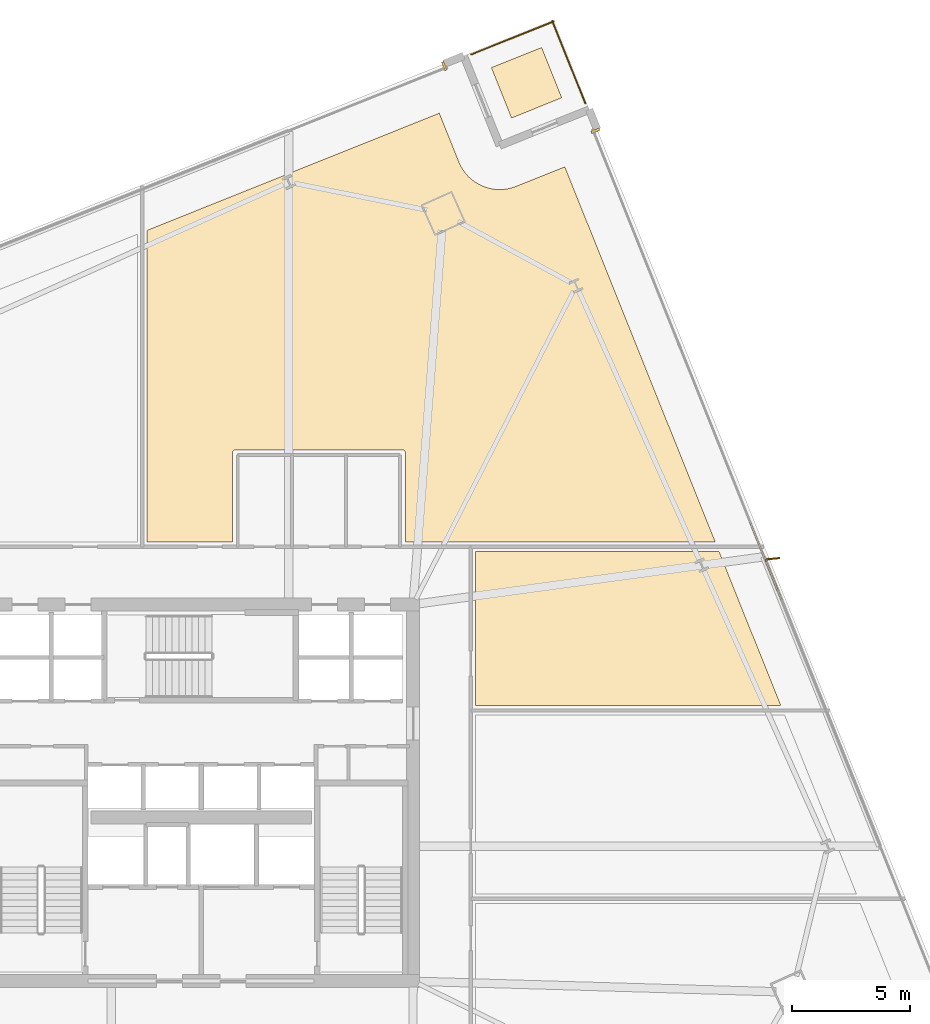
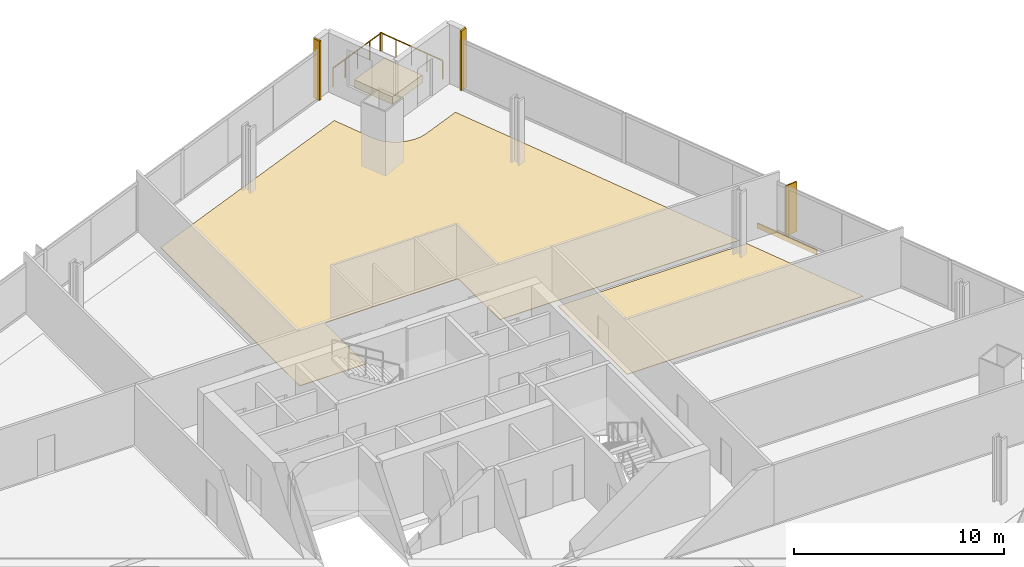
# One storey, part 33 of 33: 6 coverings, 2 railings, 1 shading device.
"""IFC4 building model written with IfcOpenShell, lengths in metres."""

from ifc_helpers import new_model, si_unit, direction, frame, origin, origin_2d, place, context, subcontext, project, spatial, polyline, rectangle, outline, extrude, source, transform, mapped, material, layer, layer_set, type_object, element, save


model = new_model("IFC4")

# Units and contexts
model_context = context("Model", 3, precision=1e-05, world=origin(), true_north=direction((0.0, 1.0)))
body_context = subcontext(model_context, "Body", "Model", "MODEL_VIEW")
ifc_project = project(units=[si_unit("LENGTHUNIT", "METRE"), si_unit("AREAUNIT", "SQUARE_METRE"), si_unit("VOLUMEUNIT", "CUBIC_METRE"), si_unit("PLANEANGLEUNIT", "RADIAN"), si_unit("MASSUNIT", "GRAM", prefix="KILO")], contexts=[model_context])

# Site, building, storey
site_placement = place(None, origin())
site = spatial("IfcSite", under=ifc_project, at=site_placement, CompositionType="ELEMENT")
building_placement = place(site_placement, origin())
building = spatial("IfcBuilding", under=site, at=building_placement, Name="Haldenkirk Collegiate Tower", CompositionType="ELEMENT")
storey_placement = place(building_placement, frame((0.0, 0.0, 101.699951171875)))
storey = spatial("IfcBuildingStorey", under=building, at=storey_placement, Name="L24", CompositionType="ELEMENT", Elevation=101.699951171875)

# Coverings
ifc_material_1 = material(Name="Polished collegiate terrazzo", Category="concrete")
ifc_layer_1 = layer(ifc_material_1, 0.02490234375)
ifc_layer_set_1 = layer_set([ifc_layer_1], Name="Polished collegiate terrazzo")
covering_type_1 = type_object("IfcCoveringType", Name="COV-FLOOR-TERRAZZO", PredefinedType="FLOORING", material=ifc_layer_set_1)
covering_1_placement = place(storey_placement, origin())
element("IfcCovering", 1, at=covering_1_placement, inside=storey, type_object=covering_type_1, Name="L24 academic room finish 06", PredefinedType="FLOORING", context=body_context, shape_type="SweptSolid", body=[
    extrude(outline(polyline([(46.112548828125, 54.867431640625), (46.9423828125, 52.797607421875), (46.94482421875, 52.792236328125), (47.0166015625, 52.63623046875), (47.02197265625, 52.625732421875), (47.108642578125, 52.4775390625), (47.114990234375, 52.467529296875), (47.2158203125, 52.32861328125), (47.22314453125, 52.3193359375), (47.3369140625, 52.19091796875), (47.34521484375, 52.182373046875), (47.47119140625, 52.065673828125), (47.480224609375, 52.05810546875), (47.616943359375, 51.9541015625), (47.626708984375, 51.947509765625), (47.77294921875, 51.857666015625), (47.783203125, 51.851806640625), (47.937744140625, 51.776611328125), (47.948486328125, 51.772216796875), (48.109619140625, 51.71240234375), (48.12060546875, 51.708740234375), (48.286865234375, 51.665283203125), (48.29833984375, 51.662841796875), (48.468017578125, 51.6357421875), (48.4794921875, 51.634521484375), (48.65087890625, 51.6240234375), (48.662841796875, 51.623779296875), (48.83447265625, 51.63037109375), (48.84619140625, 51.63134765625), (49.016357421875, 51.65478515625), (49.02783203125, 51.656982421875), (49.195068359375, 51.69677734375), (49.206298828125, 51.699951171875), (49.36865234375, 51.756103515625), (49.374267578125, 51.758056640625), (51.444091796875, 52.587890625), (57.8349609375, 36.64990234375), (44.669921875, 36.64990234375), (44.669921875, 40.449951171875), (44.66943359375, 40.4619140625), (44.667724609375, 40.473388671875), (44.664794921875, 40.48486328125), (44.660888671875, 40.495849609375), (44.65576171875, 40.506591796875), (44.64990234375, 40.5166015625), (44.642822265625, 40.526123046875), (44.635009765625, 40.534912109375), (44.626220703125, 40.542724609375), (44.61669921875, 40.5498046875), (44.606689453125, 40.555908203125), (44.595947265625, 40.560791015625), (44.584716796875, 40.564697265625), (44.573486328125, 40.567626953125), (44.561767578125, 40.5693359375), (44.550048828125, 40.570068359375), (37.449951171875, 40.570068359375), (37.438232421875, 40.5693359375), (37.426513671875, 40.567626953125), (37.415283203125, 40.564697265625), (37.404052734375, 40.560791015625), (37.393310546875, 40.555908203125), (37.38330078125, 40.5498046875), (37.373779296875, 40.542724609375), (37.364990234375, 40.534912109375), (37.357177734375, 40.526123046875), (37.35009765625, 40.5166015625), (37.34423828125, 40.506591796875), (37.339111328125, 40.495849609375), (37.335205078125, 40.48486328125), (37.332275390625, 40.473388671875), (37.33056640625, 40.4619140625), (37.330078125, 40.449951171875), (37.330078125, 36.64990234375), (33.699951171875, 36.64990234375), (33.699951171875, 49.89013671875), (46.112548828125, 54.867431640625)])), origin(), (0.0, 0.0, 1.0), 0.025146484375),
])
ifc_material_2 = material(Name="Engineered collegiate oak acoustic flooring", Category="wood")
ifc_layer_2 = layer(ifc_material_2, 0.02197265625)
ifc_layer_set_2 = layer_set([ifc_layer_2], Name="Engineered collegiate oak acoustic flooring")
covering_type_2 = type_object("IfcCoveringType", Name="COV-FLOOR-TIMBER", PredefinedType="FLOORING", material=ifc_layer_set_2)
covering_2_placement = place(storey_placement, origin())
element("IfcCovering", 2, at=covering_2_placement, inside=storey, type_object=covering_type_2, Name="L24 academic room finish 11", PredefinedType="FLOORING", context=body_context, shape_type="SweptSolid", body=[
    extrude(outline(polyline([(60.62158203125, 29.699951171875), (47.64990234375, 29.699951171875), (47.64990234375, 36.25), (57.9951171875, 36.25), (60.62158203125, 29.699951171875)])), origin(), (0.0, 0.0, 1.0), 0.02197265625),
])
ifc_material_3 = material(Name="Precast concrete f'c 40 MPa", Category="concrete")
ifc_layer_3 = layer(ifc_material_3, 0.449951171875)
ifc_layer_set_3 = layer_set([ifc_layer_3], Name="Precast concrete f'c 40 MPa")
covering_type_3 = type_object("IfcCoveringType", Name="COV-PLANTER-450", PredefinedType="USERDEFINED", material=ifc_layer_set_3)
covering_3_placement = place(storey_placement, origin())
element("IfcCovering", 3, at=covering_3_placement, inside=storey, type_object=covering_type_3, Name="L24 planted garden planter bed", ObjectType="PLANTER", PredefinedType="USERDEFINED", context=body_context, shape_type="SweptSolid", body=[
    extrude(outline(polyline([(49.1787109375, 54.6640625), (48.322509765625, 56.798583984375), (50.45751953125, 57.65478515625), (51.3134765625, 55.52001953125), (49.1787109375, 54.6640625)])), origin(), (0.0, 0.0, 1.0), 0.449951171875),
])

# Railings
ifc_material_4 = material(Name="Anodised architectural bronze aluminium", Category="aluminium")
railing_type = type_object("IfcRailingType", Name="RLG-TERR-BALUSTRADE-1100", PredefinedType="BALUSTRADE", material=ifc_material_4)
railing_1_placement = place(storey_placement, frame((52.308837890625, 55.294189453125, 0.0)))
element("IfcRailing", 4, at=railing_1_placement, inside=storey, type_object=railing_type, Name="L24 terrace guard balustrade 2-1", PredefinedType="BALUSTRADE", context=body_context, shape_type="SweptSolid", body=[
    extrude(rectangle(XDim=0.048095703125, YDim=0.048095703125, at=origin_2d()), frame((0.0, 0.0, 1.076171875), z_axis=(-0.372147774613, 0.9281734934, 0.0), x_axis=(-0.9281734934, -0.372147774613, 0.0)), (0.0, 0.0, 1.0), 3.780029296875),
    extrude(rectangle(XDim=0.0419921875, YDim=0.0419921875, at=origin_2d()), origin(), (0.0, 0.0, 1.0), 1.052001953125),
    extrude(rectangle(XDim=0.0419921875, YDim=0.0419921875, at=origin_2d()), frame((-0.3515625, 0.877197265625, 0.0)), (0.0, 0.0, 1.0), 1.052001953125),
    extrude(rectangle(XDim=0.0419921875, YDim=0.0419921875, at=origin_2d()), frame((-0.703369140625, 1.75439453125, 0.0)), (0.0, 0.0, 1.0), 1.052001953125),
    extrude(rectangle(XDim=0.0419921875, YDim=0.0419921875, at=origin_2d()), frame((-1.05517578125, 2.63134765625, 0.0)), (0.0, 0.0, 1.0), 1.052001953125),
    extrude(rectangle(XDim=0.0419921875, YDim=0.0419921875, at=origin_2d()), frame((-1.40673828125, 3.508544921875, 0.0)), (0.0, 0.0, 1.0), 1.052001953125),
])
railing_2_placement = place(storey_placement, frame((50.97998046875, 58.769287109375, 0.0)))
element("IfcRailing", 5, at=railing_2_placement, inside=storey, type_object=railing_type, Name="L24 terrace guard balustrade 3-1", PredefinedType="BALUSTRADE", context=body_context, shape_type="SweptSolid", body=[
    extrude(rectangle(XDim=0.048095703125, YDim=0.048095703125, at=origin_2d()), frame((0.0, 0.0, 1.076171875), z_axis=(-0.928164547746, -0.372170085185, 0.0), x_axis=(0.372170085185, -0.928164547746, 0.0)), (0.0, 0.0, 1.0), 3.77978515625),
    extrude(rectangle(XDim=0.0419921875, YDim=0.0419921875, at=origin_2d()), origin(), (0.0, 0.0, 1.0), 1.052001953125),
    extrude(rectangle(XDim=0.0419921875, YDim=0.0419921875, at=origin_2d()), frame((-0.876953125, -0.3515625, 0.0)), (0.0, 0.0, 1.0), 1.052001953125),
    extrude(rectangle(XDim=0.0419921875, YDim=0.0419921875, at=origin_2d()), frame((-1.754150390625, -0.703369140625, 0.0)), (0.0, 0.0, 1.0), 1.052001953125),
    extrude(rectangle(XDim=0.0419921875, YDim=0.0419921875, at=origin_2d()), frame((-2.63134765625, -1.05517578125, 0.0)), (0.0, 0.0, 1.0), 1.052001953125),
    extrude(rectangle(XDim=0.0419921875, YDim=0.0419921875, at=origin_2d()), frame((-3.50830078125, -1.40673828125, 0.0)), (0.0, 0.0, 1.0), 1.052001953125),
])

# Coverings
ifc_layer_4 = layer(ifc_material_4, 0.06005859375)
ifc_layer_set_4 = layer_set([ifc_layer_4], Name="Anodised architectural bronze aluminium")
covering_type_4 = type_object("IfcCoveringType", Name="COV-CLAD-BRONZE-60", PredefinedType="CLADDING", material=ifc_layer_set_4)
shared_shape_1 = source(origin(), body_context, "Body", "SweptSolid", [
    extrude(rectangle(XDim=3.60009765625, YDim=0.06005859375, at=origin_2d()), origin(), (0.0, 0.0, 1.0), 0.300048828125),
])
covering_4_placement = place(storey_placement, frame((59.9833984375, 35.83251953125, -0.2998046875), z_axis=(0.0, 0.0, 1.0), x_axis=(0.372177950778, -0.928161393808, 0.0)))
element("IfcCovering", 6, at=covering_4_placement, inside=storey, type_object=covering_type_4, Name="L24 architectural bronze spandrel cladding E", PredefinedType="CLADDING", context=body_context, shape_type="MappedRepresentation", body=[
    mapped(shared_shape_1, transform((0.0, 0.0, 0.0), x_axis=(1.0, 0.0, 0.0), y_axis=(0.0, 1.0, 0.0), z_axis=(0.0, 0.0, 1.0), scale=1.0)),
])
shared_shape_2 = source(origin(), body_context, "Body", "SweptSolid", [
    extrude(rectangle(XDim=0.10009765625, YDim=0.3798828125, at=origin_2d()), origin(), (0.0, 0.0, 1.0), 3.449951171875),
])
for number, where, z_axis, x_axis, name in (
    (7, (52.746337890625, 54.123046875, 0.0), (0.0, 0.0, 1.0), (0.372177950778, -0.928161393808, 0.0), "L24 recessed curtain-wall bronze jamb closure EJL"),
    (8, (46.32275390625, 56.869384765625, 0.0), (0.0, 0.0, 1.0), (0.928161393808, 0.372177950778, 0.0), "L24 recessed curtain-wall bronze jamb closure NJR"),
):
    element("IfcCovering", number, at=place(storey_placement, frame(where, z_axis=z_axis, x_axis=x_axis)), inside=storey, type_object=covering_type_4, Name=name, PredefinedType="CLADDING", context=body_context, shape_type="MappedRepresentation", body=[
        mapped(shared_shape_2, transform((0.0, 0.0, 0.0), x_axis=(1.0, 0.0, 0.0), y_axis=(0.0, 1.0, 0.0), z_axis=(0.0, 0.0, 1.0), scale=1.0)),
    ])

# Shading device
ifc_layer_5 = layer(ifc_material_4, 0.06494140625)
ifc_layer_set_5 = layer_set([ifc_layer_5], Name="Anodised architectural bronze aluminium")
shading_device_type = type_object("IfcShadingDeviceType", Name="SHD-FIN-BRONZE-620", PredefinedType="USERDEFINED", material=ifc_layer_set_5)
shared_shape_3 = source(origin(), body_context, "Body", "SweptSolid", [
    extrude(rectangle(XDim=0.6201171875, YDim=0.06494140625, at=origin_2d()), origin(), (0.0, 0.0, 1.0), 2.90087890625),
])
shading_device_placement = place(storey_placement, frame((60.25732421875, 35.9423828125, 0.0), z_axis=(0.0, 0.0, 1.0), x_axis=(0.994792141762, 0.101924455795, 0.0)))
element("IfcShadingDevice", 9, at=shading_device_placement, inside=storey, type_object=shading_device_type, Name="L24 folded bronze solar fin 1", ObjectType="FIN", PredefinedType="USERDEFINED", context=body_context, shape_type="MappedRepresentation", body=[
    mapped(shared_shape_3, transform((0.0, 0.0, 0.0), x_axis=(1.0, 0.0, 0.0), y_axis=(0.0, 1.0, 0.0), z_axis=(0.0, 0.0, 1.0), scale=1.0)),
])

save(model, "model.ifc")
